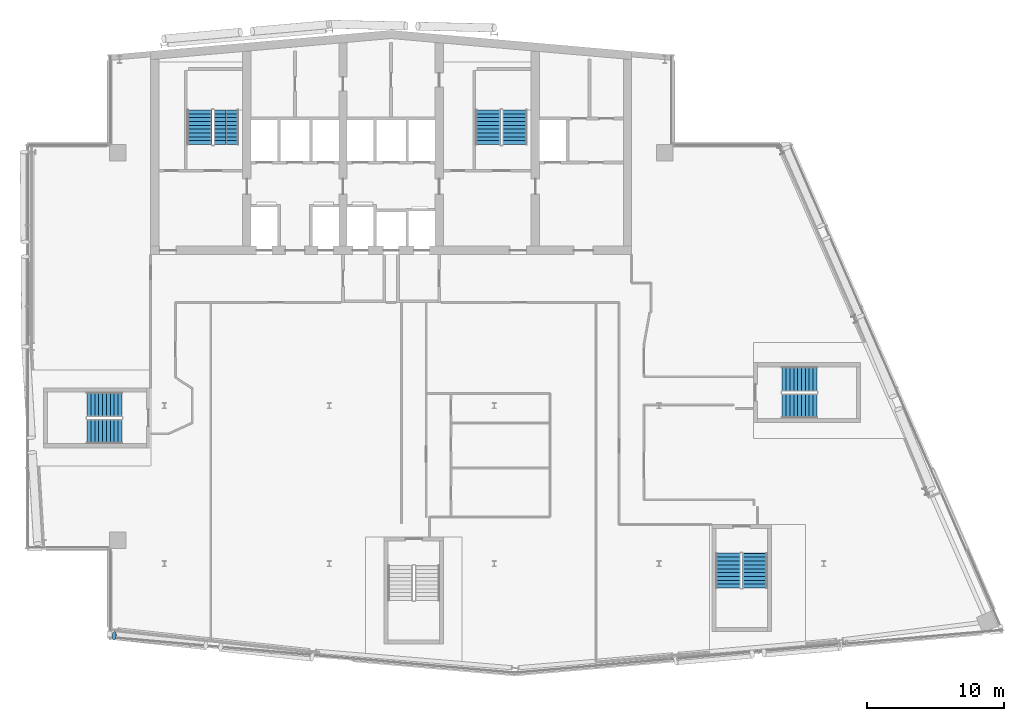
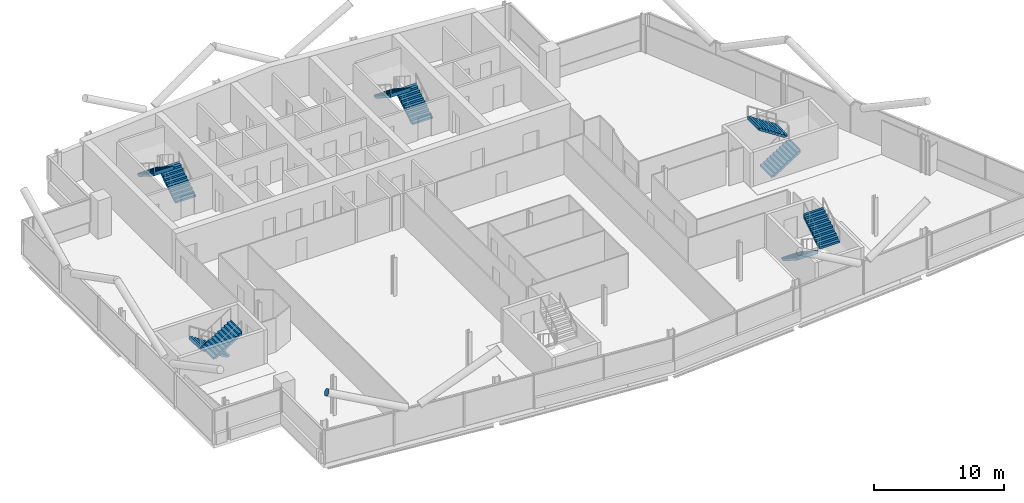
# One storey, part 19 of 26: 10 stair flights, 1 discrete accessory, 5 elements without a shape of their own.
"""IFC4 building model written with IfcOpenShell, lengths in metres."""

from ifc_helpers import new_model, si_unit, direction, frame, origin, origin_2d, place, context, subcontext, project, spatial, polyline, circle, outline, extrude, material, material_profile, profile_set, type_object, element, aggregate, save


model = new_model("IFC4")

# Units and contexts
model_context = context("Model", 3, precision=1e-05, world=origin(), true_north=direction((0.0, 1.0)))
body_context = subcontext(model_context, "Body", "Model", "MODEL_VIEW")
ifc_project = project(units=[si_unit("LENGTHUNIT", "METRE"), si_unit("AREAUNIT", "SQUARE_METRE"), si_unit("VOLUMEUNIT", "CUBIC_METRE"), si_unit("PLANEANGLEUNIT", "RADIAN"), si_unit("MASSUNIT", "GRAM", prefix="KILO")], contexts=[model_context])

# Site, building, storey
site_placement = place(None, origin())
site = spatial("IfcSite", under=ifc_project, at=site_placement, CompositionType="ELEMENT")
building_placement = place(site_placement, origin())
building = spatial("IfcBuilding", under=site, at=building_placement, Name="Wharfspan Tower", CompositionType="ELEMENT")
storey_placement = place(building_placement, frame((0.0, 0.0, 235.899902)))
storey = spatial("IfcBuildingStorey", under=building, at=storey_placement, Name="L59", CompositionType="ELEMENT", Elevation=235.899902)

# Stair, stair flights
ifc_material_1 = material(Name="Concrete C40/50", Category="concrete")
stair_type = type_object("IfcStairType", Name="Half-turn stair 20 risers 180 mm", PredefinedType="HALF_TURN_STAIR", material=ifc_material_1)
stair_1_placement = place(storey_placement, origin())
stair_1 = element("IfcStair", 1, at=stair_1_placement, inside=storey, type_object=stair_type, Name="L59 stair ST1", PredefinedType="HALF_TURN_STAIR")
stair_flight_type = type_object("IfcStairFlightType", Name="Stair flight 20 risers 180 mm", PredefinedType="STRAIGHT", material=ifc_material_1)
stair_flight_1_placement = place(storey_placement, frame((28.5, 42.0, 0.0), z_axis=(0.0, 0.0, 1.0), x_axis=(0.0, 1.0, 0.0)))
stair_flight_1 = element("IfcStairFlight", 2, at=stair_flight_1_placement, type_object=stair_flight_type, Name="ST1 flight 1", NumberOfRisers=10, NumberOfTreads=9, PredefinedType="STRAIGHT", RiserHeight=0.18, TreadLength=0.28, context=body_context, shape_type="SweptSolid", body=[
    extrude(outline(polyline([(-0.011963, 0.0), (-0.011963, 0.179932), (0.0, 0.179932), (0.280029, 0.179932), (0.280029, 0.360107), (0.560059, 0.360107), (0.560059, 0.540039), (0.840088, 0.540039), (0.840088, 0.719971), (1.120117, 0.719971), (1.120117, 0.899902), (1.399902, 0.899902), (1.399902, 1.080078), (1.679932, 1.080078), (1.679932, 1.26001), (1.959961, 1.26001), (1.959961, 1.439941), (2.23999, 1.439941), (2.23999, 1.620117), (2.52002, 1.620117), (2.531982, 1.800049), (2.531982, 1.441895), (0.2771, 0.0), (-0.011963, 0.0)])), frame((0.0, 0.899902, 0.0), z_axis=(0.0, -1.0, 0.0), x_axis=(1.0, 0.0, 0.0)), (0.0, 0.0, 1.0), 0.899414),
    extrude(outline(polyline([(-0.011963, 0.0), (-0.011963, 0.179932), (0.0, 0.179932), (0.280029, 0.179932), (0.280029, 0.360107), (0.560059, 0.360107), (0.560059, 0.540039), (0.840088, 0.540039), (0.840088, 0.719971), (1.120117, 0.719971), (1.120117, 0.899902), (1.399902, 0.899902), (1.399902, 1.080078), (1.679932, 1.080078), (1.679932, 1.26001), (1.959961, 1.26001), (1.959961, 1.439941), (2.23999, 1.439941), (2.23999, 1.620117), (2.52002, 1.620117), (2.531982, 1.800049), (2.531982, 1.441895), (0.2771, 0.0), (-0.011963, 0.0)])), frame((0.0, -0.000488, 0.0), z_axis=(0.0, -1.0, 0.0), x_axis=(1.0, 0.0, 0.0)), (0.0, 0.0, 1.0), 0.899414),
])
stair_flight_2_placement = place(storey_placement, frame((26.550049, 44.52002, 1.800049), z_axis=(0.0, 0.0, 1.0), x_axis=(0.0, -1.0, 0.0)))
stair_flight_2 = element("IfcStairFlight", 3, at=stair_flight_2_placement, type_object=stair_flight_type, Name="ST1 flight 2", NumberOfRisers=10, NumberOfTreads=9, PredefinedType="STRAIGHT", RiserHeight=0.18, TreadLength=0.28, context=body_context, shape_type="SweptSolid", body=[
    extrude(outline(polyline([(-0.011963, 0.0), (-0.011963, 0.179932), (0.0, 0.179932), (0.280029, 0.179932), (0.280029, 0.360107), (0.560059, 0.360107), (0.560059, 0.540039), (0.840088, 0.540039), (0.840088, 0.719971), (1.120117, 0.719971), (1.120117, 0.899902), (1.399902, 0.899902), (1.399902, 1.080078), (1.679932, 1.080078), (1.679932, 1.26001), (1.959961, 1.26001), (1.959961, 1.439941), (2.23999, 1.439941), (2.23999, 1.620117), (2.52002, 1.620117), (2.531982, 1.800049), (2.531982, 1.441895), (0.2771, 0.0), (-0.011963, 0.0)])), frame((0.0, 0.899902, 0.0), z_axis=(0.0, -1.0, 0.0), x_axis=(1.0, 0.0, 0.0)), (0.0, 0.0, 1.0), 0.899414),
    extrude(outline(polyline([(-0.011963, 0.0), (-0.011963, 0.179932), (0.0, 0.179932), (0.280029, 0.179932), (0.280029, 0.360107), (0.560059, 0.360107), (0.560059, 0.540039), (0.840088, 0.540039), (0.840088, 0.719971), (1.120117, 0.719971), (1.120117, 0.899902), (1.399902, 0.899902), (1.399902, 1.080078), (1.679932, 1.080078), (1.679932, 1.26001), (1.959961, 1.26001), (1.959961, 1.439941), (2.23999, 1.439941), (2.23999, 1.620117), (2.52002, 1.620117), (2.531982, 1.800049), (2.531982, 1.441895), (0.2771, 0.0), (-0.011963, 0.0)])), frame((0.0, -0.000488, 0.0), z_axis=(0.0, -1.0, 0.0), x_axis=(1.0, 0.0, 0.0)), (0.0, 0.0, 1.0), 0.899414),
])
aggregate(stair_1, [stair_flight_1, stair_flight_2])

stair_2_placement = place(storey_placement, origin())
stair_2 = element("IfcStair", 4, at=stair_2_placement, inside=storey, type_object=stair_type, Name="L59 stair ST2", PredefinedType="HALF_TURN_STAIR")
stair_flight_3_placement = place(storey_placement, frame((49.5, 42.0, 0.0), z_axis=(0.0, 0.0, 1.0), x_axis=(0.0, 1.0, 0.0)))
stair_flight_3 = element("IfcStairFlight", 5, at=stair_flight_3_placement, type_object=stair_flight_type, Name="ST2 flight 1", NumberOfRisers=10, NumberOfTreads=9, PredefinedType="STRAIGHT", RiserHeight=0.18, TreadLength=0.28, context=body_context, shape_type="SweptSolid", body=[
    extrude(outline(polyline([(-0.011963, 0.0), (-0.011963, 0.179932), (0.0, 0.179932), (0.280029, 0.179932), (0.280029, 0.360107), (0.560059, 0.360107), (0.560059, 0.540039), (0.840088, 0.540039), (0.840088, 0.719971), (1.120117, 0.719971), (1.120117, 0.899902), (1.399902, 0.899902), (1.399902, 1.080078), (1.679932, 1.080078), (1.679932, 1.26001), (1.959961, 1.26001), (1.959961, 1.439941), (2.23999, 1.439941), (2.23999, 1.620117), (2.52002, 1.620117), (2.531982, 1.800049), (2.531982, 1.441895), (0.2771, 0.0), (-0.011963, 0.0)])), frame((0.0, 0.899902, 0.0), z_axis=(0.0, -1.0, 0.0), x_axis=(1.0, 0.0, 0.0)), (0.0, 0.0, 1.0), 0.899414),
    extrude(outline(polyline([(-0.011963, 0.0), (-0.011963, 0.179932), (0.0, 0.179932), (0.280029, 0.179932), (0.280029, 0.360107), (0.560059, 0.360107), (0.560059, 0.540039), (0.840088, 0.540039), (0.840088, 0.719971), (1.120117, 0.719971), (1.120117, 0.899902), (1.399902, 0.899902), (1.399902, 1.080078), (1.679932, 1.080078), (1.679932, 1.26001), (1.959961, 1.26001), (1.959961, 1.439941), (2.23999, 1.439941), (2.23999, 1.620117), (2.52002, 1.620117), (2.531982, 1.800049), (2.531982, 1.441895), (0.2771, 0.0), (-0.011963, 0.0)])), frame((0.0, -0.000488, 0.0), z_axis=(0.0, -1.0, 0.0), x_axis=(1.0, 0.0, 0.0)), (0.0, 0.0, 1.0), 0.899414),
])
stair_flight_4_placement = place(storey_placement, frame((47.550049, 44.52002, 1.800049), z_axis=(0.0, 0.0, 1.0), x_axis=(0.0, -1.0, 0.0)))
stair_flight_4 = element("IfcStairFlight", 6, at=stair_flight_4_placement, type_object=stair_flight_type, Name="ST2 flight 2", NumberOfRisers=10, NumberOfTreads=9, PredefinedType="STRAIGHT", RiserHeight=0.18, TreadLength=0.28, context=body_context, shape_type="SweptSolid", body=[
    extrude(outline(polyline([(-0.011963, 0.0), (-0.011963, 0.179932), (0.0, 0.179932), (0.280029, 0.179932), (0.280029, 0.360107), (0.560059, 0.360107), (0.560059, 0.540039), (0.840088, 0.540039), (0.840088, 0.719971), (1.120117, 0.719971), (1.120117, 0.899902), (1.399902, 0.899902), (1.399902, 1.080078), (1.679932, 1.080078), (1.679932, 1.26001), (1.959961, 1.26001), (1.959961, 1.439941), (2.23999, 1.439941), (2.23999, 1.620117), (2.52002, 1.620117), (2.531982, 1.800049), (2.531982, 1.441895), (0.2771, 0.0), (-0.011963, 0.0)])), frame((0.0, 0.899902, 0.0), z_axis=(0.0, -1.0, 0.0), x_axis=(1.0, 0.0, 0.0)), (0.0, 0.0, 1.0), 0.899414),
    extrude(outline(polyline([(-0.011963, 0.0), (-0.011963, 0.179932), (0.0, 0.179932), (0.280029, 0.179932), (0.280029, 0.360107), (0.560059, 0.360107), (0.560059, 0.540039), (0.840088, 0.540039), (0.840088, 0.719971), (1.120117, 0.719971), (1.120117, 0.899902), (1.399902, 0.899902), (1.399902, 1.080078), (1.679932, 1.080078), (1.679932, 1.26001), (1.959961, 1.26001), (1.959961, 1.439941), (2.23999, 1.439941), (2.23999, 1.620117), (2.52002, 1.620117), (2.531982, 1.800049), (2.531982, 1.441895), (0.2771, 0.0), (-0.011963, 0.0)])), frame((0.0, -0.000488, 0.0), z_axis=(0.0, -1.0, 0.0), x_axis=(1.0, 0.0, 0.0)), (0.0, 0.0, 1.0), 0.899414),
])
aggregate(stair_2, [stair_flight_3, stair_flight_4])

stair_3_placement = place(storey_placement, origin())
stair_3 = element("IfcStair", 7, at=stair_3_placement, inside=storey, type_object=stair_type, Name="L59 stair ST3", PredefinedType="HALF_TURN_STAIR")
stair_flight_5_placement = place(storey_placement, frame((20.899902, 23.074951, 0.0), z_axis=(0.0, 0.0, 1.0), x_axis=(-1.0, 0.0, 0.0)))
stair_flight_5 = element("IfcStairFlight", 8, at=stair_flight_5_placement, type_object=stair_flight_type, Name="ST3 flight 1", NumberOfRisers=10, NumberOfTreads=9, PredefinedType="STRAIGHT", RiserHeight=0.18, TreadLength=0.28, context=body_context, shape_type="SweptSolid", body=[
    extrude(outline(polyline([(-0.011963, 0.0), (-0.011963, 0.179932), (0.0, 0.179932), (0.280029, 0.179932), (0.280029, 0.360107), (0.560059, 0.360107), (0.560059, 0.540039), (0.840088, 0.540039), (0.840088, 0.719971), (1.120117, 0.719971), (1.120117, 0.899902), (1.399902, 0.899902), (1.399902, 1.080078), (1.679932, 1.080078), (1.679932, 1.26001), (1.959961, 1.26001), (1.959961, 1.439941), (2.23999, 1.439941), (2.23999, 1.620117), (2.52002, 1.620117), (2.531982, 1.800049), (2.531982, 1.441895), (0.2771, 0.0), (-0.011963, 0.0)])), frame((0.0, 0.899902, 0.0), z_axis=(0.0, -1.0, 0.0), x_axis=(1.0, 0.0, 0.0)), (0.0, 0.0, 1.0), 0.899414),
    extrude(outline(polyline([(-0.011963, 0.0), (-0.011963, 0.179932), (0.0, 0.179932), (0.280029, 0.179932), (0.280029, 0.360107), (0.560059, 0.360107), (0.560059, 0.540039), (0.840088, 0.540039), (0.840088, 0.719971), (1.120117, 0.719971), (1.120117, 0.899902), (1.399902, 0.899902), (1.399902, 1.080078), (1.679932, 1.080078), (1.679932, 1.26001), (1.959961, 1.26001), (1.959961, 1.439941), (2.23999, 1.439941), (2.23999, 1.620117), (2.52002, 1.620117), (2.531982, 1.800049), (2.531982, 1.441895), (0.2771, 0.0), (-0.011963, 0.0)])), frame((0.0, -0.000488, 0.0), z_axis=(0.0, -1.0, 0.0), x_axis=(1.0, 0.0, 0.0)), (0.0, 0.0, 1.0), 0.899414),
])
stair_flight_6_placement = place(storey_placement, frame((18.379883, 21.125, 1.800049), z_axis=(0.0, 0.0, 1.0), x_axis=(1.0, 0.0, 0.0)))
stair_flight_6 = element("IfcStairFlight", 9, at=stair_flight_6_placement, type_object=stair_flight_type, Name="ST3 flight 2", NumberOfRisers=10, NumberOfTreads=9, PredefinedType="STRAIGHT", RiserHeight=0.18, TreadLength=0.28, context=body_context, shape_type="SweptSolid", body=[
    extrude(outline(polyline([(-0.011963, 0.0), (-0.011963, 0.179932), (0.0, 0.179932), (0.280029, 0.179932), (0.280029, 0.360107), (0.560059, 0.360107), (0.560059, 0.540039), (0.840088, 0.540039), (0.840088, 0.719971), (1.120117, 0.719971), (1.120117, 0.899902), (1.399902, 0.899902), (1.399902, 1.080078), (1.679932, 1.080078), (1.679932, 1.26001), (1.959961, 1.26001), (1.959961, 1.439941), (2.23999, 1.439941), (2.23999, 1.620117), (2.52002, 1.620117), (2.531982, 1.800049), (2.531982, 1.441895), (0.2771, 0.0), (-0.011963, 0.0)])), frame((0.0, 0.899902, 0.0), z_axis=(0.0, -1.0, 0.0), x_axis=(1.0, 0.0, 0.0)), (0.0, 0.0, 1.0), 0.899414),
    extrude(outline(polyline([(-0.011963, 0.0), (-0.011963, 0.179932), (0.0, 0.179932), (0.280029, 0.179932), (0.280029, 0.360107), (0.560059, 0.360107), (0.560059, 0.540039), (0.840088, 0.540039), (0.840088, 0.719971), (1.120117, 0.719971), (1.120117, 0.899902), (1.399902, 0.899902), (1.399902, 1.080078), (1.679932, 1.080078), (1.679932, 1.26001), (1.959961, 1.26001), (1.959961, 1.439941), (2.23999, 1.439941), (2.23999, 1.620117), (2.52002, 1.620117), (2.531982, 1.800049), (2.531982, 1.441895), (0.2771, 0.0), (-0.011963, 0.0)])), frame((0.0, -0.000488, 0.0), z_axis=(0.0, -1.0, 0.0), x_axis=(1.0, 0.0, 0.0)), (0.0, 0.0, 1.0), 0.899414),
])
aggregate(stair_3, [stair_flight_5, stair_flight_6])

stair_4_placement = place(storey_placement, origin())
stair_4 = element("IfcStair", 10, at=stair_4_placement, inside=storey, type_object=stair_type, Name="L59 stair ST5", PredefinedType="HALF_TURN_STAIR")
stair_flight_7_placement = place(storey_placement, frame((65.043701, 12.246094, 0.0), z_axis=(0.0, 0.0, 1.0), x_axis=(0.0, -1.0, 0.0)))
stair_flight_7 = element("IfcStairFlight", 11, at=stair_flight_7_placement, type_object=stair_flight_type, Name="ST5 flight 1", NumberOfRisers=10, NumberOfTreads=9, PredefinedType="STRAIGHT", RiserHeight=0.18, TreadLength=0.28, context=body_context, shape_type="SweptSolid", body=[
    extrude(outline(polyline([(-0.011963, 0.0), (-0.011963, 0.179932), (0.0, 0.179932), (0.280029, 0.179932), (0.280029, 0.360107), (0.560059, 0.360107), (0.560059, 0.540039), (0.840088, 0.540039), (0.840088, 0.719971), (1.120117, 0.719971), (1.120117, 0.899902), (1.399902, 0.899902), (1.399902, 1.080078), (1.679932, 1.080078), (1.679932, 1.26001), (1.959961, 1.26001), (1.959961, 1.439941), (2.23999, 1.439941), (2.23999, 1.620117), (2.52002, 1.620117), (2.531982, 1.800049), (2.531982, 1.441895), (0.2771, 0.0), (-0.011963, 0.0)])), frame((0.0, 0.899902, 0.0), z_axis=(0.0, -1.0, 0.0), x_axis=(1.0, 0.0, 0.0)), (0.0, 0.0, 1.0), 0.899414),
    extrude(outline(polyline([(-0.011963, 0.0), (-0.011963, 0.179932), (0.0, 0.179932), (0.280029, 0.179932), (0.280029, 0.360107), (0.560059, 0.360107), (0.560059, 0.540039), (0.840088, 0.540039), (0.840088, 0.719971), (1.120117, 0.719971), (1.120117, 0.899902), (1.399902, 0.899902), (1.399902, 1.080078), (1.679932, 1.080078), (1.679932, 1.26001), (1.959961, 1.26001), (1.959961, 1.439941), (2.23999, 1.439941), (2.23999, 1.620117), (2.52002, 1.620117), (2.531982, 1.800049), (2.531982, 1.441895), (0.2771, 0.0), (-0.011963, 0.0)])), frame((0.0, -0.000488, 0.0), z_axis=(0.0, -1.0, 0.0), x_axis=(1.0, 0.0, 0.0)), (0.0, 0.0, 1.0), 0.899414),
])
stair_flight_8_placement = place(storey_placement, frame((66.993896, 9.726074, 1.800049), z_axis=(0.0, 0.0, 1.0), x_axis=(0.0, 1.0, 0.0)))
stair_flight_8 = element("IfcStairFlight", 12, at=stair_flight_8_placement, type_object=stair_flight_type, Name="ST5 flight 2", NumberOfRisers=10, NumberOfTreads=9, PredefinedType="STRAIGHT", RiserHeight=0.18, TreadLength=0.28, context=body_context, shape_type="SweptSolid", body=[
    extrude(outline(polyline([(-0.011963, 0.0), (-0.011963, 0.179932), (0.0, 0.179932), (0.280029, 0.179932), (0.280029, 0.360107), (0.560059, 0.360107), (0.560059, 0.540039), (0.840088, 0.540039), (0.840088, 0.719971), (1.120117, 0.719971), (1.120117, 0.899902), (1.399902, 0.899902), (1.399902, 1.080078), (1.679932, 1.080078), (1.679932, 1.26001), (1.959961, 1.26001), (1.959961, 1.439941), (2.23999, 1.439941), (2.23999, 1.620117), (2.52002, 1.620117), (2.531982, 1.800049), (2.531982, 1.441895), (0.2771, 0.0), (-0.011963, 0.0)])), frame((0.0, 0.899902, 0.0), z_axis=(0.0, -1.0, 0.0), x_axis=(1.0, 0.0, 0.0)), (0.0, 0.0, 1.0), 0.899414),
    extrude(outline(polyline([(-0.011963, 0.0), (-0.011963, 0.179932), (0.0, 0.179932), (0.280029, 0.179932), (0.280029, 0.360107), (0.560059, 0.360107), (0.560059, 0.540039), (0.840088, 0.540039), (0.840088, 0.719971), (1.120117, 0.719971), (1.120117, 0.899902), (1.399902, 0.899902), (1.399902, 1.080078), (1.679932, 1.080078), (1.679932, 1.26001), (1.959961, 1.26001), (1.959961, 1.439941), (2.23999, 1.439941), (2.23999, 1.620117), (2.52002, 1.620117), (2.531982, 1.800049), (2.531982, 1.441895), (0.2771, 0.0), (-0.011963, 0.0)])), frame((0.0, -0.000488, 0.0), z_axis=(0.0, -1.0, 0.0), x_axis=(1.0, 0.0, 0.0)), (0.0, 0.0, 1.0), 0.899414),
])
aggregate(stair_4, [stair_flight_7, stair_flight_8])

stair_5_placement = place(storey_placement, origin())
stair_5 = element("IfcStair", 13, at=stair_5_placement, inside=storey, type_object=stair_type, Name="L59 stair ST6", PredefinedType="HALF_TURN_STAIR")
stair_flight_9_placement = place(storey_placement, frame((68.969482, 22.975098, 0.0), z_axis=(0.0, 0.0, 1.0), x_axis=(1.0, 0.0, 0.0)))
stair_flight_9 = element("IfcStairFlight", 14, at=stair_flight_9_placement, type_object=stair_flight_type, Name="ST6 flight 1", NumberOfRisers=10, NumberOfTreads=9, PredefinedType="STRAIGHT", RiserHeight=0.18, TreadLength=0.28, context=body_context, shape_type="SweptSolid", body=[
    extrude(outline(polyline([(-0.011963, 0.0), (-0.011963, 0.179932), (0.0, 0.179932), (0.280029, 0.179932), (0.280029, 0.360107), (0.560059, 0.360107), (0.560059, 0.540039), (0.840088, 0.540039), (0.840088, 0.719971), (1.120117, 0.719971), (1.120117, 0.899902), (1.399902, 0.899902), (1.399902, 1.080078), (1.679932, 1.080078), (1.679932, 1.26001), (1.959961, 1.26001), (1.959961, 1.439941), (2.23999, 1.439941), (2.23999, 1.620117), (2.52002, 1.620117), (2.531982, 1.800049), (2.531982, 1.441895), (0.2771, 0.0), (-0.011963, 0.0)])), frame((0.0, 0.899902, 0.0), z_axis=(0.0, -1.0, 0.0), x_axis=(1.0, 0.0, 0.0)), (0.0, 0.0, 1.0), 0.899414),
    extrude(outline(polyline([(-0.011963, 0.0), (-0.011963, 0.179932), (0.0, 0.179932), (0.280029, 0.179932), (0.280029, 0.360107), (0.560059, 0.360107), (0.560059, 0.540039), (0.840088, 0.540039), (0.840088, 0.719971), (1.120117, 0.719971), (1.120117, 0.899902), (1.399902, 0.899902), (1.399902, 1.080078), (1.679932, 1.080078), (1.679932, 1.26001), (1.959961, 1.26001), (1.959961, 1.439941), (2.23999, 1.439941), (2.23999, 1.620117), (2.52002, 1.620117), (2.531982, 1.800049), (2.531982, 1.441895), (0.2771, 0.0), (-0.011963, 0.0)])), frame((0.0, -0.000488, 0.0), z_axis=(0.0, -1.0, 0.0), x_axis=(1.0, 0.0, 0.0)), (0.0, 0.0, 1.0), 0.899414),
])
stair_flight_10_placement = place(storey_placement, frame((71.489502, 24.925049, 1.800049), z_axis=(0.0, 0.0, 1.0), x_axis=(-1.0, 0.0, 0.0)))
stair_flight_10 = element("IfcStairFlight", 15, at=stair_flight_10_placement, type_object=stair_flight_type, Name="ST6 flight 2", NumberOfRisers=10, NumberOfTreads=9, PredefinedType="STRAIGHT", RiserHeight=0.18, TreadLength=0.28, context=body_context, shape_type="SweptSolid", body=[
    extrude(outline(polyline([(-0.011963, 0.0), (-0.011963, 0.179932), (0.0, 0.179932), (0.280029, 0.179932), (0.280029, 0.360107), (0.560059, 0.360107), (0.560059, 0.540039), (0.840088, 0.540039), (0.840088, 0.719971), (1.120117, 0.719971), (1.120117, 0.899902), (1.399902, 0.899902), (1.399902, 1.080078), (1.679932, 1.080078), (1.679932, 1.26001), (1.959961, 1.26001), (1.959961, 1.439941), (2.23999, 1.439941), (2.23999, 1.620117), (2.52002, 1.620117), (2.531982, 1.800049), (2.531982, 1.441895), (0.2771, 0.0), (-0.011963, 0.0)])), frame((0.0, 0.899902, 0.0), z_axis=(0.0, -1.0, 0.0), x_axis=(1.0, 0.0, 0.0)), (0.0, 0.0, 1.0), 0.899414),
    extrude(outline(polyline([(-0.011963, 0.0), (-0.011963, 0.179932), (0.0, 0.179932), (0.280029, 0.179932), (0.280029, 0.360107), (0.560059, 0.360107), (0.560059, 0.540039), (0.840088, 0.540039), (0.840088, 0.719971), (1.120117, 0.719971), (1.120117, 0.899902), (1.399902, 0.899902), (1.399902, 1.080078), (1.679932, 1.080078), (1.679932, 1.26001), (1.959961, 1.26001), (1.959961, 1.439941), (2.23999, 1.439941), (2.23999, 1.620117), (2.52002, 1.620117), (2.531982, 1.800049), (2.531982, 1.441895), (0.2771, 0.0), (-0.011963, 0.0)])), frame((0.0, -0.000488, 0.0), z_axis=(0.0, -1.0, 0.0), x_axis=(1.0, 0.0, 0.0)), (0.0, 0.0, 1.0), 0.899414),
])
aggregate(stair_5, [stair_flight_9, stair_flight_10])

# Discrete accessory
ifc_material_2 = material(Name="Steel S460NH", Category="steel")
ifc_material_profile = material_profile(ifc_material_2, circle(Radius=0.304932, at=origin_2d()))
ifc_profile_set = profile_set([ifc_material_profile], Name="Steel S460NH")
discrete_accessory_type = type_object("IfcDiscreteAccessoryType", Name="End plate CHS 610x25", PredefinedType="BRACKET", material=ifc_profile_set)
discrete_accessory_placement = place(storey_placement, frame((20.352539, 6.249268, 6.5), z_axis=(-0.880146, 0.097794, 0.464521), x_axis=(-0.110432, -0.993888, 0.0)))
element("IfcDiscreteAccessory", 16, at=discrete_accessory_placement, inside=storey, type_object=discrete_accessory_type, Name="End plate CHS 610x25", PredefinedType="BRACKET", context=body_context, shape_type="SweptSolid", body=[
    extrude(circle(Radius=0.304932, at=origin_2d()), origin(), (0.0, 0.0, 1.0), 0.01001),
])

save(model, "model.ifc")
